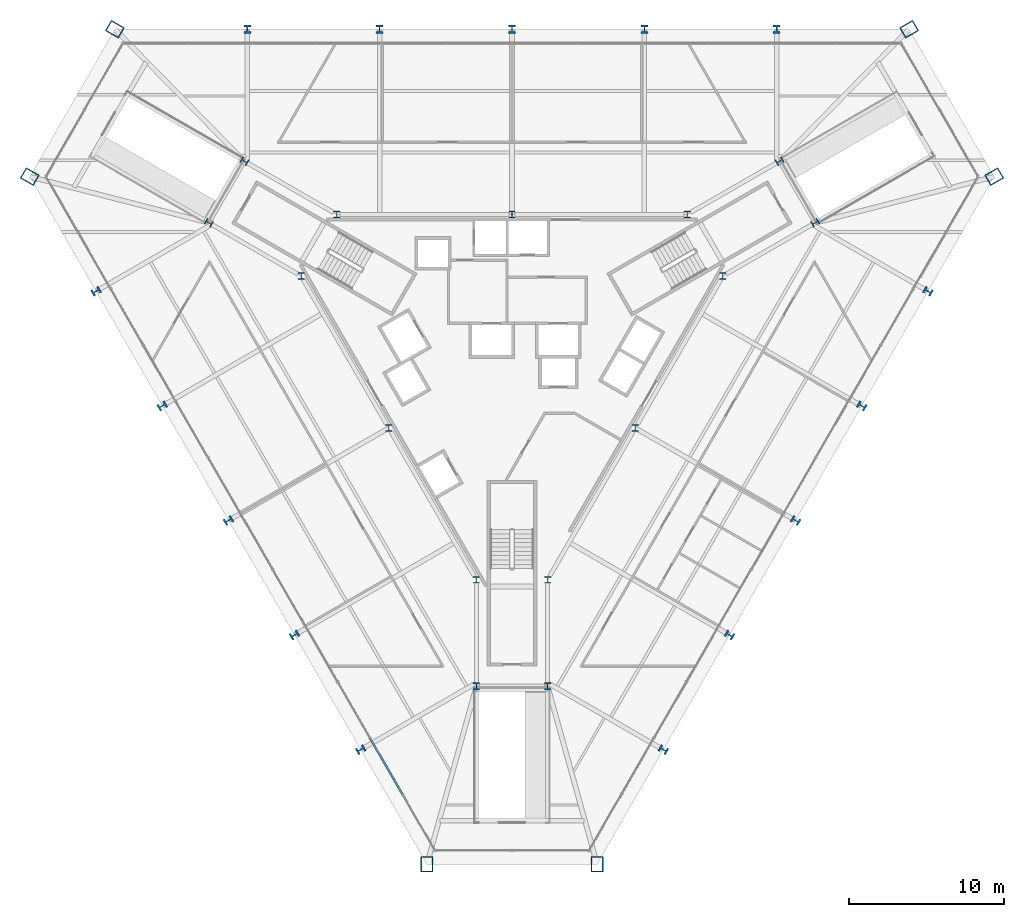
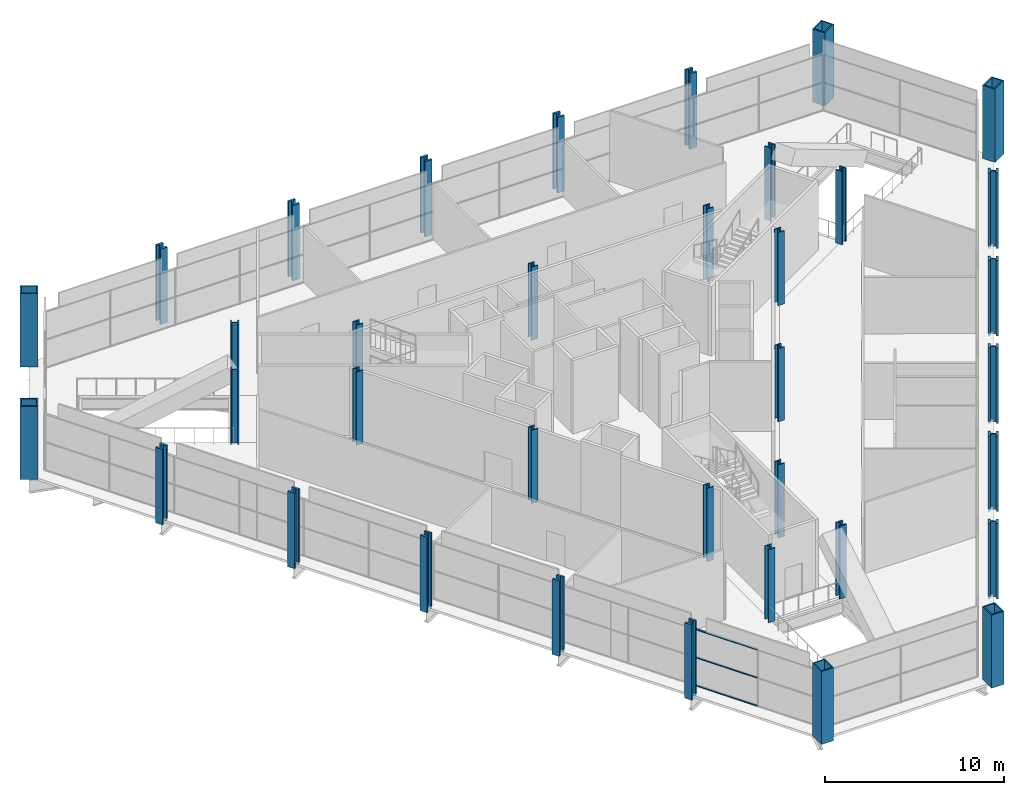
# One storey, part 1 of 20: 36 columns, 3 members, 1 element without a shape of its own.
"""IFC4 building model written with IfcOpenShell, lengths in metres."""

from ifc_helpers import new_model, si_unit, direction, frame, origin, origin_2d, place, context, subcontext, project, spatial, rectangle, hollow_rectangle, i_section, extrude, material, layer, layer_set, material_profile, profile_set, type_object, element, aggregate, save


model = new_model("IFC4")

# Units and contexts
model_context = context("Model", 3, precision=1e-05, world=origin(), true_north=direction((0.0, 1.0)))
body_context = subcontext(model_context, "Body", "Model", "MODEL_VIEW")
ifc_project = project(units=[si_unit("LENGTHUNIT", "METRE"), si_unit("AREAUNIT", "SQUARE_METRE"), si_unit("VOLUMEUNIT", "CUBIC_METRE"), si_unit("PLANEANGLEUNIT", "RADIAN"), si_unit("MASSUNIT", "GRAM", prefix="KILO")], contexts=[model_context])

# Site, building, storey
site_placement = place(None, origin())
site = spatial("IfcSite", under=ifc_project, at=site_placement, CompositionType="ELEMENT")
building_placement = place(site_placement, origin())
building = spatial("IfcBuilding", under=site, at=building_placement, Name="Verrane Prism Tower", CompositionType="ELEMENT")
storey_placement = place(building_placement, frame((0.0, 0.0, 17.39990234375)))
storey = spatial("IfcBuildingStorey", under=building, at=storey_placement, Name="L02", CompositionType="ELEMENT", Elevation=17.39990234375)

# Columns
ifc_material_1 = material(Name="Steel A992", Category="steel")
ifc_material_profile_1 = material_profile(ifc_material_1, i_section(OverallWidth=0.424072265625, OverallDepth=0.47509765625, WebThickness=0.0478515625, FlangeThickness=0.0771484375, FilletRadius=0.014892578125, at=origin_2d()), Name="W14x426")
ifc_profile_set_1 = profile_set([ifc_material_profile_1], Name="Steel A992")
column_type_1 = type_object("IfcColumnType", Name="Core corner column W14x426", PredefinedType="COLUMN", material=ifc_profile_set_1)
for number, where, z_axis, x_axis, name in (
    (1, (19.60009765625, 8.659912109375, 0.0), (0.0, 0.0, 1.0), (0.5, -0.866025403784, 0.0), "Core corner column CK-NEm L02"),
    (2, (17.300048828125, 12.639892578125, 0.0), (0.0, 0.0, 1.0), (0.5, -0.866025403784, 0.0), "Core corner column CK-NEp L02"),
    (3, (-17.300048828125, 12.639892578125, 0.0), (0.0, 0.0, 1.0), (0.5, 0.866025403784, 0.0), "Core corner column CK-NWm L02"),
    (4, (-19.60009765625, 8.659912109375, 0.0), (0.0, 0.0, 1.0), (0.5, 0.866025403784, 0.0), "Core corner column CK-NWp L02"),
    (5, (-2.300048828125, -21.300048828125, 0.0), (0.0, 0.0, 1.0), (-1.0, 0.0, 0.0), "Core corner column CK-Sm L02"),
    (6, (2.300048828125, -21.300048828125, 0.0), (0.0, 0.0, 1.0), (-1.0, 0.0, 0.0), "Core corner column CK-Sp L02"),
):
    element("IfcColumn", number, at=place(storey_placement, frame(where, z_axis=z_axis, x_axis=x_axis)), inside=storey, type_object=column_type_1, Name=name, PredefinedType="COLUMN", context=body_context, shape_type="SweptSolid", body=[
        extrude(i_section(OverallWidth=0.424072265625, OverallDepth=0.47509765625, WebThickness=0.0478515625, FlangeThickness=0.0771484375, FilletRadius=0.014892578125, at=origin_2d()), origin(), (0.0, 0.0, 1.0), 5.0),
    ])
ifc_material_2 = material(Name="Steel A992", Category="steel")
ifc_material_profile_2 = material_profile(ifc_material_2, i_section(OverallWidth=0.411376953125, OverallDepth=0.434326171875, WebThickness=0.035888671875, FlangeThickness=0.057373046875, FilletRadius=0.01513671875, at=origin_2d()), Name="W14x311")
ifc_profile_set_2 = profile_set([ifc_material_profile_2], Name="Steel A992")
column_type_2 = type_object("IfcColumnType", Name="Core side column W14x311", PredefinedType="COLUMN", material=ifc_profile_set_2)
for number, where, z_axis, x_axis, name in (
    (7, (13.6298828125, 5.219970703125, 0.0), (0.0, 0.0, 1.0), (1.0, 0.0, 0.0), "Core side column CC-NEm L02"),
    (8, (11.330078125, 9.199951171875, 0.0), (0.0, 0.0, 1.0), (1.0, 0.0, 0.0), "Core side column CC-NEp L02"),
    (9, (0.0, 9.199951171875, 0.0), (0.0, 0.0, 1.0), (1.0, 0.0, 0.0), "Core side column CC-N0 L02"),
    (10, (-11.330078125, 9.199951171875, 0.0), (0.0, 0.0, 1.0), (1.0, 0.0, 0.0), "Core side column CC-NWm L02"),
    (11, (-13.6298828125, 5.219970703125, 0.0), (0.0, 0.0, 1.0), (1.0, 0.0, 0.0), "Core side column CC-NWp L02"),
    (12, (-7.969970703125, -4.60009765625, 0.0), (0.0, 0.0, 1.0), (1.0, 0.0, 0.0), "Core side column CC-SW0 L02"),
    (13, (-2.300048828125, -14.419921875, 0.0), (0.0, 0.0, 1.0), (1.0, 0.0, 0.0), "Core side column CC-Sm L02"),
    (14, (2.300048828125, -14.419921875, 0.0), (0.0, 0.0, 1.0), (1.0, 0.0, 0.0), "Core side column CC-Sp L02"),
    (15, (7.969970703125, -4.60009765625, 0.0), (0.0, 0.0, 1.0), (1.0, 0.0, 0.0), "Core side column CC-SE0 L02"),
):
    element("IfcColumn", number, at=place(storey_placement, frame(where, z_axis=z_axis, x_axis=x_axis)), inside=storey, type_object=column_type_2, Name=name, PredefinedType="COLUMN", context=body_context, shape_type="SweptSolid", body=[
        extrude(i_section(OverallWidth=0.411376953125, OverallDepth=0.434326171875, WebThickness=0.035888671875, FlangeThickness=0.057373046875, FilletRadius=0.01513671875, at=origin_2d()), origin(), (0.0, 0.0, 1.0), 5.0),
    ])
ifc_material_3 = material(Name="Steel A572 Grade 50", Category="steel")
ifc_material_profile_3 = material_profile(ifc_material_3, hollow_rectangle(XDim=0.800048828125, YDim=1.0, WallThickness=0.074951171875, at=origin_2d()), Name="BOX 1000x800x75")
ifc_profile_set_3 = profile_set([ifc_material_profile_3], Name="Steel A572 Grade 50")
column_type_3 = type_object("IfcColumnType", Name="Megacolumn BOX 1000x800x75", PredefinedType="COLUMN", material=ifc_profile_set_3)
for number, where, z_axis, x_axis, name in (
    (16, (25.669921875, 21.169921875, 0.0), (0.0, 0.0, 1.0), (0.5, -0.866025403784, 0.0), "Megacolumn MC-NE.b L02"),
    (17, (-25.669921875, 21.169921875, 0.0), (0.0, 0.0, 1.0), (0.5, 0.866025403784, 0.0), "Megacolumn MC-NW.a L02"),
    (18, (-31.169921875, 11.639892578125, 0.0), (0.0, 0.0, 1.0), (0.5, 0.866025403784, 0.0), "Megacolumn MC-NW.b L02"),
    (19, (-5.5, -32.81005859375, 0.0), (0.0, 0.0, 1.0), (-1.0, 0.0, 0.0), "Megacolumn MC-S.a L02"),
    (20, (5.5, -32.81005859375, 0.0), (0.0, 0.0, 1.0), (-1.0, 0.0, 0.0), "Megacolumn MC-S.b L02"),
    (21, (31.169921875, 11.639892578125, 0.0), (0.0, 0.0, 1.0), (0.5, -0.866025403784, 0.0), "Megacolumn MC-NE.a L02"),
):
    element("IfcColumn", number, at=place(storey_placement, frame(where, z_axis=z_axis, x_axis=x_axis)), inside=storey, type_object=column_type_3, Name=name, PredefinedType="COLUMN", context=body_context, shape_type="SweptSolid", body=[
        extrude(hollow_rectangle(XDim=0.800048828125, YDim=1.0, WallThickness=0.074951171875, at=origin_2d()), origin(), (0.0, 0.0, 1.0), 5.0),
    ])
ifc_material_4 = material(Name="Steel A992", Category="steel")
ifc_material_profile_4 = material_profile(ifc_material_4, i_section(OverallWidth=0.45458984375, OverallDepth=0.56884765625, WebThickness=0.077880859375, FlangeThickness=0.124755859375, FilletRadius=0.01513671875, at=origin_2d()), Name="W14x730")
ifc_profile_set_4 = profile_set([ifc_material_profile_4], Name="Steel A992")
column_type_4 = type_object("IfcColumnType", Name="Perimeter column W14x730", PredefinedType="COLUMN", material=ifc_profile_set_4)
for number, where, z_axis, x_axis, name in (
    (22, (17.110107421875, 21.169921875, -0.159912109375), (0.0, 0.0, 1.0), (1.0, 0.0, 0.0), "Perimeter column PC-N1 L02"),
    (23, (8.56005859375, 21.169921875, -0.159912109375), (0.0, 0.0, 1.0), (1.0, 0.0, 0.0), "Perimeter column PC-N2 L02"),
    (24, (0.0, 21.169921875, -0.159912109375), (0.0, 0.0, 1.0), (1.0, 0.0, 0.0), "Perimeter column PC-N3 L02"),
    (25, (-8.56005859375, 21.169921875, -0.159912109375), (0.0, 0.0, 1.0), (1.0, 0.0, 0.0), "Perimeter column PC-N4 L02"),
    (26, (-17.110107421875, 21.169921875, -0.159912109375), (0.0, 0.0, 1.0), (1.0, 0.0, 0.0), "Perimeter column PC-N5 L02"),
    (27, (-26.889892578125, 4.22998046875, -0.159912109375), (0.0, 0.0, 1.0), (-0.5, 0.866025403784, 0.0), "Perimeter column PC-SW1 L02"),
    (28, (-22.610107421875, -3.179931640625, -0.159912109375), (0.0, 0.0, 1.0), (-0.5, 0.866025403784, 0.0), "Perimeter column PC-SW2 L02"),
    (29, (-18.330078125, -10.590087890625, -0.159912109375), (0.0, 0.0, 1.0), (-0.5, 0.866025403784, 0.0), "Perimeter column PC-SW3 L02"),
    (30, (-14.06005859375, -17.989990234375, -0.159912109375), (0.0, 0.0, 1.0), (-0.5, 0.866025403784, 0.0), "Perimeter column PC-SW4 L02"),
    (31, (-9.780029296875, -25.39990234375, -0.159912109375), (0.0, 0.0, 1.0), (-0.5, 0.866025403784, 0.0), "Perimeter column PC-SW5 L02"),
    (32, (9.780029296875, -25.39990234375, -0.159912109375), (0.0, 0.0, 1.0), (-0.5, -0.866025403784, 0.0), "Perimeter column PC-SE1 L02"),
    (33, (14.06005859375, -17.989990234375, -0.159912109375), (0.0, 0.0, 1.0), (-0.5, -0.866025403784, 0.0), "Perimeter column PC-SE2 L02"),
    (34, (18.330078125, -10.590087890625, -0.159912109375), (0.0, 0.0, 1.0), (-0.5, -0.866025403784, 0.0), "Perimeter column PC-SE3 L02"),
    (35, (22.610107421875, -3.179931640625, -0.159912109375), (0.0, 0.0, 1.0), (-0.5, -0.866025403784, 0.0), "Perimeter column PC-SE4 L02"),
    (36, (26.889892578125, 4.22998046875, -0.159912109375), (0.0, 0.0, 1.0), (-0.5, -0.866025403784, 0.0), "Perimeter column PC-SE5 L02"),
):
    element("IfcColumn", number, at=place(storey_placement, frame(where, z_axis=z_axis, x_axis=x_axis)), inside=storey, type_object=column_type_4, Name=name, PredefinedType="COLUMN", context=body_context, shape_type="SweptSolid", body=[
        extrude(i_section(OverallWidth=0.45458984375, OverallDepth=0.56884765625, WebThickness=0.077880859375, FlangeThickness=0.124755859375, FilletRadius=0.01513671875, at=origin_2d()), origin(), (0.0, 0.0, 1.0), 5.159912109375),
    ])

# Curtain wall, members
ifc_material_5 = material(Name="Aluminium and glass curtain wall", Category="aluminium")
ifc_layer = layer(ifc_material_5, 0.199951171875)
ifc_layer_set = layer_set([ifc_layer], Name="CWB-1 retail curtain wall")
curtain_wall_type = type_object("IfcCurtainWallType", Name="CWB-1 retail curtain wall", PredefinedType="NOTDEFINED", material=ifc_layer_set)
curtain_wall_placement = place(storey_placement, origin())
curtain_wall = element("IfcCurtainWall", 37, at=curtain_wall_placement, inside=storey, type_object=curtain_wall_type, Name="Retail curtain wall L02 4", PredefinedType="NOTDEFINED")
ifc_material_6 = material(Name="Aluminium", Category="aluminium")
ifc_material_profile_5 = material_profile(ifc_material_6, rectangle(XDim=0.1201171875, YDim=0.06005859375, at=origin_2d()), Name="CWB-T 60x120 transom")
ifc_profile_set_5 = profile_set([ifc_material_profile_5], Name="Aluminium")
member_type = type_object("IfcMemberType", Name="CWB-T 60x120 transom", PredefinedType="USERDEFINED", material=ifc_profile_set_5)
member_1_placement = place(storey_placement, frame((-9.15673828125, -24.68017578125, 0.030029296875), z_axis=(0.499996977546, -0.866027148792, 0.0), x_axis=(0.866027148792, 0.499996977546, 0.0)))
member_1 = element("IfcMember", 38, at=member_1_placement, type_object=member_type, Name="CWB24 transom 11.1", ObjectType="TRANSOM", PredefinedType="USERDEFINED", context=body_context, shape_type="SweptSolid", body=[
    extrude(rectangle(XDim=0.1201171875, YDim=0.06005859375, at=origin_2d()), origin(), (0.0, 0.0, 1.0), 4.13134765625),
])
member_2_placement = place(storey_placement, frame((-9.15673828125, -24.68017578125, 1.945068359375), z_axis=(0.499996977546, -0.866027148792, 0.0), x_axis=(0.866027148792, 0.499996977546, 0.0)))
member_2 = element("IfcMember", 39, at=member_2_placement, type_object=member_type, Name="CWB24 transom 11.2", ObjectType="TRANSOM", PredefinedType="USERDEFINED", context=body_context, shape_type="SweptSolid", body=[
    extrude(rectangle(XDim=0.1201171875, YDim=0.06005859375, at=origin_2d()), origin(), (0.0, 0.0, 1.0), 4.13134765625),
])
member_3_placement = place(storey_placement, frame((-9.15673828125, -24.68017578125, 3.860107421875), z_axis=(0.499996977546, -0.866027148792, 0.0), x_axis=(0.866027148792, 0.499996977546, 0.0)))
member_3 = element("IfcMember", 40, at=member_3_placement, type_object=member_type, Name="CWB24 transom 11.3", ObjectType="TRANSOM", PredefinedType="USERDEFINED", context=body_context, shape_type="SweptSolid", body=[
    extrude(rectangle(XDim=0.1201171875, YDim=0.06005859375, at=origin_2d()), origin(), (0.0, 0.0, 1.0), 4.13134765625),
])
aggregate(curtain_wall, [member_1, member_2, member_3])

save(model, "model.ifc")
